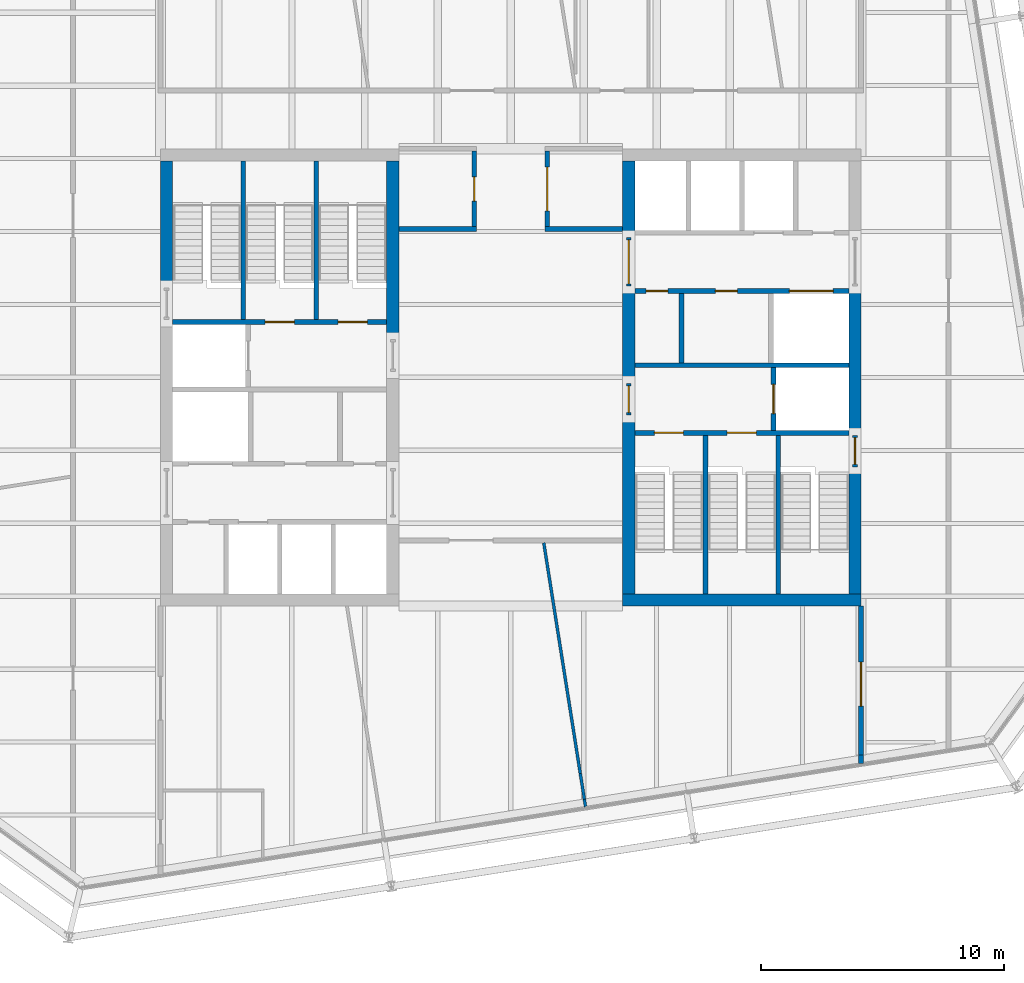
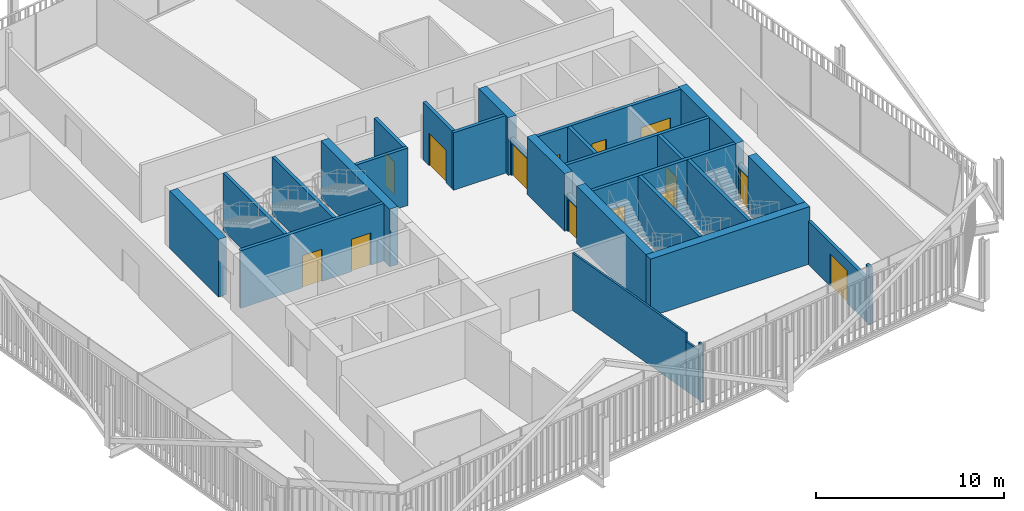
# One storey, part 18 of 21: 30 walls, 14 doors, 14 openings.
"""IFC4 building model written with IfcOpenShell, lengths in metres."""

from ifc_helpers import new_model, si_unit, direction, frame, frame_2d, origin, place, context, subcontext, project, spatial, rectangle, extrude, material, layer, layer_set, type_object, element, fill, save


model = new_model("IFC4")

# Units and contexts
model_context = context("Model", 3, precision=1e-05, world=origin(), true_north=direction((0.0, 1.0)))
body_context = subcontext(model_context, "Body", "Model", "MODEL_VIEW")
ifc_project = project(units=[si_unit("LENGTHUNIT", "METRE"), si_unit("AREAUNIT", "SQUARE_METRE"), si_unit("VOLUMEUNIT", "CUBIC_METRE"), si_unit("PLANEANGLEUNIT", "RADIAN"), si_unit("MASSUNIT", "GRAM", prefix="KILO")], contexts=[model_context])

# Site, building, storey
site_placement = place(None, origin())
site = spatial("IfcSite", under=ifc_project, at=site_placement, CompositionType="ELEMENT")
building_placement = place(site_placement, origin())
building = spatial("IfcBuilding", under=site, at=building_placement, Name="Millrace Tower", CompositionType="ELEMENT")
storey_placement = place(building_placement, frame((0.0, 0.0, 247.39990234375)))
storey = spatial("IfcBuildingStorey", under=building, at=storey_placement, Name="L56", CompositionType="ELEMENT", Elevation=247.39990234375)

# Walls
ifc_material_1 = material(Name="Concrete C60", Category="concrete")
ifc_layer_1 = layer(ifc_material_1, 0.5)
ifc_layer_set_1 = layer_set([ifc_layer_1], Name="Concrete C60")
wall_type_1 = type_object("IfcWallType", Name="Core wall 500 Concrete C60", PredefinedType="SHEAR", material=ifc_layer_set_1)
wall_1_placement = place(storey_placement, frame((-14.14990234375, 3.679931640625, 0.0), z_axis=(0.0, 0.0, 1.0), x_axis=(0.0, 1.0, 0.0)))
element("IfcWall", 1, at=wall_1_placement, inside=storey, type_object=wall_type_1, Name="Core wall W L56", PredefinedType="SHEAR", context=body_context, shape_type="SweptSolid", body=[
    extrude(rectangle(XDim=5.219970703125, YDim=0.5, at=frame_2d((2.60986328125, 0.0))), origin(), (0.0, 0.0, 1.0), 3.739990234375),
])
wall_2_placement = place(storey_placement, frame((-4.85009765625, 1.550048828125, 0.0), z_axis=(0.0, 0.0, 1.0), x_axis=(0.0, 1.0, 0.0)))
element("IfcWall", 2, at=wall_2_placement, inside=storey, type_object=wall_type_1, Name="Core wall W L56", PredefinedType="SHEAR", context=body_context, shape_type="SweptSolid", body=[
    extrude(rectangle(XDim=7.349853515625, YDim=0.5, at=frame_2d((3.6748046875, 0.0))), origin(), (0.0, 0.0, 1.0), 3.739990234375),
])
wall_3_placement = place(storey_placement, frame((14.39990234375, -9.14990234375, 0.0), z_axis=(0.0, 0.0, 1.0), x_axis=(-1.0, 0.0, 0.0)))
element("IfcWall", 3, at=wall_3_placement, inside=storey, type_object=wall_type_1, Name="Core wall E L56", PredefinedType="SHEAR", context=body_context, shape_type="SweptSolid", body=[
    extrude(rectangle(XDim=9.7998046875, YDim=0.5, at=frame_2d((4.89990234375, 0.0))), origin(), (0.0, 0.0, 1.0), 3.739990234375),
])
wall_4_placement = place(storey_placement, frame((14.14990234375, 3.75, 0.0), z_axis=(0.0, 0.0, 1.0), x_axis=(0.0, -1.0, 0.0)))
element("IfcWall", 4, at=wall_4_placement, inside=storey, type_object=wall_type_1, Name="Core wall E L56", PredefinedType="SHEAR", context=body_context, shape_type="SweptSolid", body=[
    extrude(rectangle(XDim=6.1298828125, YDim=0.5, at=frame_2d((3.06494140625, 0.0))), origin(), (0.0, 0.0, 1.0), 3.739990234375),
])
wall_5_placement = place(storey_placement, frame((14.14990234375, -3.679931640625, 0.0), z_axis=(0.0, 0.0, 1.0), x_axis=(0.0, -1.0, 0.0)))
element("IfcWall", 5, at=wall_5_placement, inside=storey, type_object=wall_type_1, Name="Core wall E L56", PredefinedType="SHEAR", context=body_context, shape_type="SweptSolid", body=[
    extrude(rectangle(XDim=5.219970703125, YDim=0.5, at=frame_2d((2.60986328125, 0.0))), origin(), (0.0, 0.0, 1.0), 3.739990234375),
])
wall_6_placement = place(storey_placement, frame((4.85009765625, 8.89990234375, 0.0), z_axis=(0.0, 0.0, 1.0), x_axis=(0.0, -1.0, 0.0)))
element("IfcWall", 6, at=wall_6_placement, inside=storey, type_object=wall_type_1, Name="Core wall E L56", PredefinedType="SHEAR", context=body_context, shape_type="SweptSolid", body=[
    extrude(rectangle(XDim=3.14990234375, YDim=0.5, at=frame_2d((1.574951171875, 0.0))), origin(), (0.0, 0.0, 1.0), 3.739990234375),
])
wall_7_placement = place(storey_placement, frame((4.85009765625, 3.75, 0.0), z_axis=(0.0, 0.0, 1.0), x_axis=(0.0, -1.0, 0.0)))
element("IfcWall", 7, at=wall_7_placement, inside=storey, type_object=wall_type_1, Name="Core wall E L56", PredefinedType="SHEAR", context=body_context, shape_type="SweptSolid", body=[
    extrude(rectangle(XDim=4.0, YDim=0.5, at=frame_2d((2.0, 0.0))), origin(), (0.0, 0.0, 1.0), 3.739990234375),
])
wall_8_placement = place(storey_placement, frame((4.85009765625, -1.550048828125, 0.0), z_axis=(0.0, 0.0, 1.0), x_axis=(0.0, -1.0, 0.0)))
element("IfcWall", 8, at=wall_8_placement, inside=storey, type_object=wall_type_1, Name="Core wall E L56", PredefinedType="SHEAR", context=body_context, shape_type="SweptSolid", body=[
    extrude(rectangle(XDim=7.349853515625, YDim=0.5, at=frame_2d((3.6748046875, 0.0))), origin(), (0.0, 0.0, 1.0), 3.739990234375),
])
ifc_material_2 = material(Name="Masonry partition, fire-rated", Category="masonry")
ifc_layer_2 = layer(ifc_material_2, 0.199951171875)
ifc_layer_set_2 = layer_set([ifc_layer_2], Name="Masonry partition, fire-rated")
wall_type_2 = type_object("IfcWallType", Name="Corridor wall 200", PredefinedType="PARTITIONING", material=ifc_layer_set_2)
for number, where, z_axis, x_axis, name in (
    (9, (-4.60009765625, 6.10009765625, 0.0), (0.0, 0.0, 1.0), (1.0, 0.0, 0.0), "Corridor wall L56"),
    (10, (1.39990234375, 6.10009765625, 0.0), (0.0, 0.0, 1.0), (1.0, 0.0, 0.0), "Corridor wall L56"),
):
    element("IfcWall", number, at=place(storey_placement, frame(where, z_axis=z_axis, x_axis=x_axis)), inside=storey, type_object=wall_type_2, Name=name, PredefinedType="PARTITIONING", context=body_context, shape_type="SweptSolid", body=[
        extrude(rectangle(XDim=3.2001953125, YDim=0.199951171875, at=frame_2d((1.60009765625, 0.0))), origin(), (0.0, 0.0, 1.0), 3.739990234375),
    ])
wall_9_placement = place(storey_placement, frame((14.39990234375, -15.87451171875, 0.0), z_axis=(0.0, 0.0, 1.0), x_axis=(0.0, 1.0, 0.0)))
element("IfcWall", 11, at=wall_9_placement, inside=storey, type_object=wall_type_2, Name="Corridor wall L56", PredefinedType="PARTITIONING", context=body_context, shape_type="SweptSolid", body=[
    extrude(rectangle(XDim=0.349609375, YDim=0.199951171875, at=frame_2d((0.1748046875, 0.0))), origin(), (0.0, 0.0, 1.0), 3.739990234375),
])

# Wall, opening, door
wall_10_placement = place(storey_placement, frame((14.39990234375, -15.52490234375, 0.0), z_axis=(0.0, 0.0, 1.0), x_axis=(0.0, 1.0, 0.0)))
wall_10 = element("IfcWall", 12, at=wall_10_placement, inside=storey, type_object=wall_type_2, Name="Corridor wall L56", PredefinedType="PARTITIONING", context=body_context, shape_type="SweptSolid", body=[
    extrude(rectangle(XDim=6.125, YDim=0.199951171875, at=frame_2d((3.0625, 0.0))), origin(), (0.0, 0.0, 1.0), 2.81298828125),
])
opening_1_placement = place(wall_10_placement, frame((2.012939453125, 0.0, 0.0)))
opening_1 = element("IfcOpeningElement", 13, at=opening_1_placement, cuts=wall_10, Name="Opening 56-P014", PredefinedType="OPENING", context=body_context, shape_type="SweptSolid", body=[
    extrude(rectangle(XDim=1.800048828125, YDim=2.10009765625, at=frame_2d((0.89990234375, 1.050048828125))), frame((0.0, 0.10986328125, 0.0), z_axis=(0.0, -1.0, 0.0), x_axis=(1.0, 0.0, 0.0)), (0.0, 0.0, 1.0), 0.219970703125),
])
ifc_material_3 = material(Name="Steel door set, fire-rated", Category="steel")
door_type_1 = type_object("IfcDoorType", Name="Corridor door 1800 x 2100", OperationType="DOUBLE_DOOR_SINGLE_SWING", PredefinedType="DOOR", material=ifc_material_3)
door_1_placement = place(opening_1_placement, origin())
door_1 = element("IfcDoor", 14, at=door_1_placement, inside=storey, type_object=door_type_1, Name="Door 56-P014", OperationType="DOUBLE_DOOR_SINGLE_SWING", OverallHeight=2.10009765625, OverallWidth=1.800048828125, PredefinedType="DOOR", context=body_context, shape_type="SweptSolid", body=[
    extrude(rectangle(XDim=1.800048828125, YDim=2.10009765625, at=frame_2d((0.89990234375, 1.050048828125))), frame((0.0, 0.02490234375, 0.0), z_axis=(0.0, -1.0, 0.0), x_axis=(1.0, 0.0, 0.0)), (0.0, 0.0, 1.0), 0.050048828125),
])
fill(opening_1, door_1)

wall_11_placement = place(storey_placement, frame((1.5, 6.199951171875, 0.0), z_axis=(0.0, 0.0, 1.0), x_axis=(0.0, 1.0, 0.0)))
wall_11 = element("IfcWall", 15, at=wall_11_placement, inside=storey, type_object=wall_type_2, Name="Corridor wall L56", PredefinedType="PARTITIONING", context=body_context, shape_type="SweptSolid", body=[
    extrude(rectangle(XDim=3.10009765625, YDim=0.199951171875, at=frame_2d((1.550048828125, 0.0))), origin(), (0.0, 0.0, 1.0), 3.739990234375),
])
opening_2_placement = place(wall_11_placement, frame((0.64990234375, 0.0, 0.0)))
opening_2 = element("IfcOpeningElement", 16, at=opening_2_placement, cuts=wall_11, Name="Opening 56-P002", PredefinedType="OPENING", context=body_context, shape_type="SweptSolid", body=[
    extrude(rectangle(XDim=1.800048828125, YDim=2.10009765625, at=frame_2d((0.89990234375, 1.050048828125))), frame((0.0, 0.10986328125, 0.0), z_axis=(0.0, -1.0, 0.0), x_axis=(1.0, 0.0, 0.0)), (0.0, 0.0, 1.0), 0.219970703125),
])
ifc_material_4 = material(Name="Steel door set, fire-rated", Category="steel")
door_type_2 = type_object("IfcDoorType", Name="Data hall door 1800 x 2100", OperationType="DOUBLE_DOOR_SINGLE_SWING", PredefinedType="DOOR", material=ifc_material_4)
door_2_placement = place(opening_2_placement, frame((1.800048828125, 0.0, 0.0), z_axis=(0.0, 0.0, 1.0), x_axis=(-1.0, 0.0, 0.0)))
door_2 = element("IfcDoor", 17, at=door_2_placement, inside=storey, type_object=door_type_2, Name="Door 56-P002", OperationType="DOUBLE_DOOR_SINGLE_SWING", OverallHeight=2.10009765625, OverallWidth=1.800048828125, PredefinedType="DOOR", context=body_context, shape_type="SweptSolid", body=[
    extrude(rectangle(XDim=1.800048828125, YDim=2.10009765625, at=frame_2d((0.89990234375, 1.050048828125))), frame((0.0, 0.02490234375, 0.0), z_axis=(0.0, -1.0, 0.0), x_axis=(1.0, 0.0, 0.0)), (0.0, 0.0, 1.0), 0.050048828125),
])
fill(opening_2, door_2)

wall_12_placement = place(storey_placement, frame((-1.5, 6.199951171875, 0.0), z_axis=(0.0, 0.0, 1.0), x_axis=(0.0, 1.0, 0.0)))
wall_12 = element("IfcWall", 18, at=wall_12_placement, inside=storey, type_object=wall_type_2, Name="Corridor wall L56", PredefinedType="PARTITIONING", context=body_context, shape_type="SweptSolid", body=[
    extrude(rectangle(XDim=3.10009765625, YDim=0.199951171875, at=frame_2d((1.550048828125, 0.0))), origin(), (0.0, 0.0, 1.0), 3.739990234375),
])
opening_3_placement = place(wall_12_placement, frame((1.050048828125, 0.0, 0.0)))
opening_3 = element("IfcOpeningElement", 19, at=opening_3_placement, cuts=wall_12, Name="Opening 56-P001", PredefinedType="OPENING", context=body_context, shape_type="SweptSolid", body=[
    extrude(rectangle(XDim=1.0, YDim=2.10009765625, at=frame_2d((0.5, 1.050048828125))), frame((0.0, 0.10986328125, 0.0), z_axis=(0.0, -1.0, 0.0), x_axis=(1.0, 0.0, 0.0)), (0.0, 0.0, 1.0), 0.219970703125),
])
ifc_material_5 = material(Name="Steel door set, fire-rated", Category="steel")
door_type_3 = type_object("IfcDoorType", Name="Corridor door 1000 x 2100", OperationType="SINGLE_SWING_LEFT", PredefinedType="DOOR", material=ifc_material_5)
door_3_placement = place(opening_3_placement, origin())
door_3 = element("IfcDoor", 20, at=door_3_placement, inside=storey, type_object=door_type_3, Name="Door 56-P001", OperationType="SINGLE_SWING_LEFT", OverallHeight=2.10009765625, OverallWidth=1.0, PredefinedType="DOOR", context=body_context, shape_type="SweptSolid", body=[
    extrude(rectangle(XDim=1.0, YDim=2.10009765625, at=frame_2d((0.5, 1.050048828125))), frame((0.0, 0.02490234375, 0.0), z_axis=(0.0, -1.0, 0.0), x_axis=(1.0, 0.0, 0.0)), (0.0, 0.0, 1.0), 0.050048828125),
])
fill(opening_3, door_3)

# Wall, openings, doors
ifc_material_6 = material(Name="Masonry partition, fire-rated", Category="masonry")
ifc_layer_3 = layer(ifc_material_6, 0.199951171875)
ifc_layer_set_3 = layer_set([ifc_layer_3], Name="Masonry partition, fire-rated")
wall_type_3 = type_object("IfcWallType", Name="Lift shaft wall 200", PredefinedType="PARTITIONING", material=ifc_layer_set_3)
wall_13_placement = place(storey_placement, frame((13.89990234375, 3.550048828125, 0.0), z_axis=(0.0, 0.0, 1.0), x_axis=(-1.0, 0.0, 0.0)))
wall_13 = element("IfcWall", 21, at=wall_13_placement, inside=storey, type_object=wall_type_3, Name="Lift shaft wall E L56", PredefinedType="PARTITIONING", context=body_context, shape_type="SweptSolid", body=[
    extrude(rectangle(XDim=8.7998046875, YDim=0.199951171875, at=frame_2d((4.39990234375, 0.0))), origin(), (0.0, 0.0, 1.0), 3.739990234375),
])
opening_4_placement = place(wall_13_placement, frame((0.64990234375, 0.0, 0.0)))
opening_4 = element("IfcOpeningElement", 22, at=opening_4_placement, cuts=wall_13, Name="Opening 56-LD13", PredefinedType="OPENING", context=body_context, shape_type="SweptSolid", body=[
    extrude(rectangle(XDim=1.800048828125, YDim=2.10009765625, at=frame_2d((0.89990234375, 1.050048828125))), frame((0.0, 0.10986328125, 0.0), z_axis=(0.0, -1.0, 0.0), x_axis=(1.0, 0.0, 0.0)), (0.0, 0.0, 1.0), 0.219970703125),
])
opening_5_placement = place(wall_13_placement, frame((4.58740234375, 0.0, 0.0)))
opening_5 = element("IfcOpeningElement", 23, at=opening_5_placement, cuts=wall_13, Name="Opening 56-C015", PredefinedType="OPENING", context=body_context, shape_type="SweptSolid", body=[
    extrude(rectangle(XDim=0.89990234375, YDim=2.10009765625, at=frame_2d((0.449951171875, 1.050048828125))), frame((0.0, 0.10986328125, 0.0), z_axis=(0.0, -1.0, 0.0), x_axis=(1.0, 0.0, 0.0)), (0.0, 0.0, 1.0), 0.219970703125),
])
opening_6_placement = place(wall_13_placement, frame((7.4375, 0.0, 0.0)))
opening_6 = element("IfcOpeningElement", 24, at=opening_6_placement, cuts=wall_13, Name="Opening 56-C016", PredefinedType="OPENING", context=body_context, shape_type="SweptSolid", body=[
    extrude(rectangle(XDim=0.89990234375, YDim=2.10009765625, at=frame_2d((0.449951171875, 1.050048828125))), frame((0.0, 0.10986328125, 0.0), z_axis=(0.0, -1.0, 0.0), x_axis=(1.0, 0.0, 0.0)), (0.0, 0.0, 1.0), 0.219970703125),
])
ifc_material_7 = material(Name="Stainless steel, fire-rated", Category="steel")
door_type_4 = type_object("IfcDoorType", Name="Lift landing door 1800 x 2100", OperationType="DOUBLE_DOOR_SLIDING", PredefinedType="DOOR", material=ifc_material_7)
door_4_placement = place(opening_4_placement, origin())
door_4 = element("IfcDoor", 25, at=door_4_placement, inside=storey, type_object=door_type_4, Name="Lift landing door LF13 L56", OperationType="DOUBLE_DOOR_SLIDING", OverallHeight=2.10009765625, OverallWidth=1.800048828125, PredefinedType="DOOR", context=body_context, shape_type="SweptSolid", body=[
    extrude(rectangle(XDim=1.800048828125, YDim=2.10009765625, at=frame_2d((0.89990234375, 1.050048828125))), frame((0.0, 0.02490234375, 0.0), z_axis=(0.0, -1.0, 0.0), x_axis=(1.0, 0.0, 0.0)), (0.0, 0.0, 1.0), 0.050048828125),
])
fill(opening_4, door_4)
ifc_material_8 = material(Name="Steel door, fire-rated", Category="steel")
door_type_5 = type_object("IfcDoorType", Name="Service room door 900 x 2100", OperationType="SINGLE_SWING_LEFT", PredefinedType="DOOR", material=ifc_material_8)
door_5_placement = place(opening_5_placement, origin())
door_5 = element("IfcDoor", 26, at=door_5_placement, inside=storey, type_object=door_type_5, Name="Service room door 56-C015", OperationType="SINGLE_SWING_RIGHT", OverallHeight=2.10009765625, OverallWidth=0.89990234375, PredefinedType="DOOR", context=body_context, shape_type="SweptSolid", body=[
    extrude(rectangle(XDim=0.89990234375, YDim=2.10009765625, at=frame_2d((0.449951171875, 1.050048828125))), frame((0.0, 0.02490234375, 0.0), z_axis=(0.0, -1.0, 0.0), x_axis=(1.0, 0.0, 0.0)), (0.0, 0.0, 1.0), 0.050048828125),
])
fill(opening_5, door_5)
door_6_placement = place(opening_6_placement, origin())
door_6 = element("IfcDoor", 27, at=door_6_placement, inside=storey, type_object=door_type_5, Name="Service room door 56-C016", OperationType="SINGLE_SWING_RIGHT", OverallHeight=2.10009765625, OverallWidth=0.89990234375, PredefinedType="DOOR", context=body_context, shape_type="SweptSolid", body=[
    extrude(rectangle(XDim=0.89990234375, YDim=2.10009765625, at=frame_2d((0.449951171875, 1.050048828125))), frame((0.0, 0.02490234375, 0.0), z_axis=(0.0, -1.0, 0.0), x_axis=(1.0, 0.0, 0.0)), (0.0, 0.0, 1.0), 0.050048828125),
])
fill(opening_6, door_6)

# Wall
wall_14_placement = place(storey_placement, frame((13.89990234375, 0.5, 0.0), z_axis=(0.0, 0.0, 1.0), x_axis=(-1.0, 0.0, 0.0)))
element("IfcWall", 28, at=wall_14_placement, inside=storey, type_object=wall_type_3, Name="Lift shaft wall E L56", PredefinedType="PARTITIONING", context=body_context, shape_type="SweptSolid", body=[
    extrude(rectangle(XDim=8.7998046875, YDim=0.199951171875, at=frame_2d((4.39990234375, 0.0))), origin(), (0.0, 0.0, 1.0), 3.739990234375),
])

# Wall, opening, door
wall_15_placement = place(storey_placement, frame((10.800048828125, 0.39990234375, 0.0), z_axis=(0.0, 0.0, 1.0), x_axis=(0.0, -1.0, 0.0)))
wall_15 = element("IfcWall", 29, at=wall_15_placement, inside=storey, type_object=wall_type_3, Name="Lift shaft wall E L56", PredefinedType="PARTITIONING", context=body_context, shape_type="SweptSolid", body=[
    extrude(rectangle(XDim=2.579833984375, YDim=0.199951171875, at=frame_2d((1.2900390625, 0.0))), origin(), (0.0, 0.0, 1.0), 3.739990234375),
])
opening_7_placement = place(wall_15_placement, frame((0.68994140625, 0.0, 0.0)))
opening_7 = element("IfcOpeningElement", 30, at=opening_7_placement, cuts=wall_15, Name="Opening 56-LD16", PredefinedType="OPENING", context=body_context, shape_type="SweptSolid", body=[
    extrude(rectangle(XDim=1.199951171875, YDim=2.10009765625, at=frame_2d((0.60009765625, 1.050048828125))), frame((0.0, 0.10986328125, 0.0), z_axis=(0.0, -1.0, 0.0), x_axis=(1.0, 0.0, 0.0)), (0.0, 0.0, 1.0), 0.219970703125),
])
ifc_material_9 = material(Name="Stainless steel, fire-rated", Category="steel")
door_type_6 = type_object("IfcDoorType", Name="Lift landing door 1200 x 2100", OperationType="DOUBLE_DOOR_SLIDING", PredefinedType="DOOR", material=ifc_material_9)
door_7_placement = place(opening_7_placement, origin())
door_7 = element("IfcDoor", 31, at=door_7_placement, inside=storey, type_object=door_type_6, Name="Lift landing door LF16 L56", OperationType="DOUBLE_DOOR_SLIDING", OverallHeight=2.10009765625, OverallWidth=1.199951171875, PredefinedType="DOOR", context=body_context, shape_type="SweptSolid", body=[
    extrude(rectangle(XDim=1.199951171875, YDim=2.10009765625, at=frame_2d((0.60009765625, 1.050048828125))), frame((0.0, 0.02490234375, 0.0), z_axis=(0.0, -1.0, 0.0), x_axis=(1.0, 0.0, 0.0)), (0.0, 0.0, 1.0), 0.050048828125),
])
fill(opening_7, door_7)

ifc_material_10 = material(Name="Masonry partition, fire-rated", Category="masonry")
ifc_layer_4 = layer(ifc_material_10, 0.199951171875)
ifc_layer_set_4 = layer_set([ifc_layer_4], Name="Masonry partition, fire-rated")
wall_type_4 = type_object("IfcWallType", Name="Lobby wall 200", PredefinedType="PARTITIONING", material=ifc_layer_set_4)
wall_16_placement = place(storey_placement, frame((4.85009765625, 5.75, 0.0), z_axis=(0.0, 0.0, 1.0), x_axis=(0.0, -1.0, 0.0)))
wall_16 = element("IfcWall", 32, at=wall_16_placement, inside=storey, type_object=wall_type_4, Name="Lobby wall E L56", PredefinedType="PARTITIONING", context=body_context, shape_type="SweptSolid", body=[
    extrude(rectangle(XDim=2.0, YDim=0.199951171875, at=frame_2d((1.0, 0.0))), origin(), (0.0, 0.0, 1.0), 2.400146484375),
])
opening_8_placement = place(wall_16_placement, frame((0.10009765625, 0.0, 0.0)))
opening_8 = element("IfcOpeningElement", 33, at=opening_8_placement, cuts=wall_16, Name="Opening 56-C012", PredefinedType="OPENING", context=body_context, shape_type="SweptSolid", body=[
    extrude(rectangle(XDim=1.800048828125, YDim=2.10009765625, at=frame_2d((0.89990234375, 1.050048828125))), frame((0.0, 0.10986328125, 0.0), z_axis=(0.0, -1.0, 0.0), x_axis=(1.0, 0.0, 0.0)), (0.0, 0.0, 1.0), 0.219970703125),
])
ifc_material_11 = material(Name="Steel door, fire-rated", Category="steel")
door_type_7 = type_object("IfcDoorType", Name="Lobby door 1800 x 2100", OperationType="DOUBLE_DOOR_SINGLE_SWING", PredefinedType="DOOR", material=ifc_material_11)
door_8_placement = place(opening_8_placement, frame((1.800048828125, 0.0, 0.0), z_axis=(0.0, 0.0, 1.0), x_axis=(-1.0, 0.0, 0.0)))
door_8 = element("IfcDoor", 34, at=door_8_placement, inside=storey, type_object=door_type_7, Name="Lobby door 56-C012", OperationType="DOUBLE_DOOR_SINGLE_SWING", OverallHeight=2.10009765625, OverallWidth=1.800048828125, PredefinedType="DOOR", context=body_context, shape_type="SweptSolid", body=[
    extrude(rectangle(XDim=1.800048828125, YDim=2.10009765625, at=frame_2d((0.89990234375, 1.050048828125))), frame((0.0, 0.02490234375, 0.0), z_axis=(0.0, -1.0, 0.0), x_axis=(1.0, 0.0, 0.0)), (0.0, 0.0, 1.0), 0.050048828125),
])
fill(opening_8, door_8)

wall_17_placement = place(storey_placement, frame((4.85009765625, -0.25, 0.0), z_axis=(0.0, 0.0, 1.0), x_axis=(0.0, -1.0, 0.0)))
wall_17 = element("IfcWall", 35, at=wall_17_placement, inside=storey, type_object=wall_type_4, Name="Lobby wall E L56", PredefinedType="PARTITIONING", context=body_context, shape_type="SweptSolid", body=[
    extrude(rectangle(XDim=1.300048828125, YDim=0.199951171875, at=frame_2d((0.64990234375, 0.0))), origin(), (0.0, 0.0, 1.0), 2.400146484375),
])
opening_9_placement = place(wall_17_placement, frame((0.10009765625, 0.0, 0.0)))
opening_9 = element("IfcOpeningElement", 36, at=opening_9_placement, cuts=wall_17, Name="Opening 56-C013", PredefinedType="OPENING", context=body_context, shape_type="SweptSolid", body=[
    extrude(rectangle(XDim=1.10009765625, YDim=2.10009765625, at=frame_2d((0.550048828125, 1.050048828125))), frame((0.0, 0.10986328125, 0.0), z_axis=(0.0, -1.0, 0.0), x_axis=(1.0, 0.0, 0.0)), (0.0, 0.0, 1.0), 0.219970703125),
])
ifc_material_12 = material(Name="Steel door, fire-rated", Category="steel")
door_type_8 = type_object("IfcDoorType", Name="Lobby door 1100 x 2100", OperationType="SINGLE_SWING_LEFT", PredefinedType="DOOR", material=ifc_material_12)
door_9_placement = place(opening_9_placement, frame((1.10009765625, 0.0, 0.0), z_axis=(0.0, 0.0, 1.0), x_axis=(-1.0, 0.0, 0.0)))
door_9 = element("IfcDoor", 37, at=door_9_placement, inside=storey, type_object=door_type_8, Name="Lobby door 56-C013", OperationType="SINGLE_SWING_RIGHT", OverallHeight=2.10009765625, OverallWidth=1.10009765625, PredefinedType="DOOR", context=body_context, shape_type="SweptSolid", body=[
    extrude(rectangle(XDim=1.10009765625, YDim=2.10009765625, at=frame_2d((0.550048828125, 1.050048828125))), frame((0.0, 0.02490234375, 0.0), z_axis=(0.0, -1.0, 0.0), x_axis=(1.0, 0.0, 0.0)), (0.0, 0.0, 1.0), 0.050048828125),
])
fill(opening_9, door_9)

# Walls
ifc_material_13 = material(Name="Gypsum board partition")
ifc_layer_5 = layer(ifc_material_13, 0.1201171875)
ifc_layer_set_5 = layer_set([ifc_layer_5], Name="Gypsum board partition")
wall_type_5 = type_object("IfcWallType", Name="Partition wall 120", PredefinedType="PARTITIONING", material=ifc_layer_set_5)
wall_18_placement = place(storey_placement, frame((1.355712890625, -6.798828125, 0.0), z_axis=(0.0, 0.0, 1.0), x_axis=(0.15639059341, -0.98769528818, 0.0)))
element("IfcWall", 38, at=wall_18_placement, inside=storey, type_object=wall_type_5, Name="Partition wall L56", PredefinedType="PARTITIONING", context=body_context, shape_type="SweptSolid", body=[
    extrude(rectangle(XDim=9.60693359375, YDim=0.1201171875, at=frame_2d((4.803466796875, 0.0))), origin(), (0.0, 0.0, 1.0), 3.739990234375),
])
wall_19_placement = place(storey_placement, frame((2.858154296875, -16.28759765625, 0.0), z_axis=(0.0, 0.0, 1.0), x_axis=(0.156535041478, -0.987672405603, 0.0)))
element("IfcWall", 39, at=wall_19_placement, inside=storey, type_object=wall_type_5, Name="Partition wall L56", PredefinedType="PARTITIONING", context=body_context, shape_type="SweptSolid", body=[
    extrude(rectangle(XDim=1.072998046875, YDim=0.1201171875, at=frame_2d((0.53662109375, 0.0))), origin(), (0.0, 0.0, 1.0), 3.21435546875),
])
wall_20_placement = place(storey_placement, frame((3.026123046875, -17.347412109375, 0.0), z_axis=(0.0, 0.0, 1.0), x_axis=(0.155730772494, -0.987799537608, 0.0)))
element("IfcWall", 40, at=wall_20_placement, inside=storey, type_object=wall_type_5, Name="Partition wall L56", PredefinedType="PARTITIONING", context=body_context, shape_type="SweptSolid", body=[
    extrude(rectangle(XDim=0.324462890625, YDim=0.1201171875, at=frame_2d((0.162109375, 0.0))), origin(), (0.0, 0.0, 1.0), 3.739990234375),
])
ifc_material_14 = material(Name="Masonry partition, fire-rated", Category="masonry")
ifc_layer_6 = layer(ifc_material_14, 0.199951171875)
ifc_layer_set_6 = layer_set([ifc_layer_6], Name="Masonry partition, fire-rated")
wall_type_6 = type_object("IfcWallType", Name="Room partition 200", PredefinedType="PARTITIONING", material=ifc_layer_set_6)
wall_21_placement = place(storey_placement, frame((7.02490234375, 3.449951171875, 0.0), z_axis=(0.0, 0.0, 1.0), x_axis=(0.0, -1.0, 0.0)))
element("IfcWall", 41, at=wall_21_placement, inside=storey, type_object=wall_type_6, Name="Room partition E L56", PredefinedType="PARTITIONING", context=body_context, shape_type="SweptSolid", body=[
    extrude(rectangle(XDim=2.849853515625, YDim=0.199951171875, at=frame_2d((1.4248046875, 0.0))), origin(), (0.0, 0.0, 1.0), 3.739990234375),
])

# Wall, openings, doors
ifc_material_15 = material(Name="Concrete C40", Category="concrete")
ifc_layer_7 = layer(ifc_material_15, 0.199951171875)
ifc_layer_set_7 = layer_set([ifc_layer_7], Name="Concrete C40")
wall_type_7 = type_object("IfcWallType", Name="Stair enclosure wall 200 Concrete C40", PredefinedType="SHEAR", material=ifc_layer_set_7)
wall_22_placement = place(storey_placement, frame((-13.89990234375, 2.280029296875, 0.0), z_axis=(0.0, 0.0, 1.0), x_axis=(1.0, 0.0, 0.0)))
wall_22 = element("IfcWall", 42, at=wall_22_placement, inside=storey, type_object=wall_type_7, Name="Stair enclosure wall W L56", PredefinedType="SHEAR", context=body_context, shape_type="SweptSolid", body=[
    extrude(rectangle(XDim=8.7998046875, YDim=0.199951171875, at=frame_2d((4.39990234375, 0.0))), origin(), (0.0, 0.0, 1.0), 3.739990234375),
])
opening_10_placement = place(wall_22_placement, frame((3.800048828125, 0.0, 0.0)))
opening_10 = element("IfcOpeningElement", 43, at=opening_10_placement, cuts=wall_22, Name="Opening 56-C008", PredefinedType="OPENING", context=body_context, shape_type="SweptSolid", body=[
    extrude(rectangle(XDim=1.199951171875, YDim=2.10009765625, at=frame_2d((0.60009765625, 1.050048828125))), frame((0.0, 0.10986328125, 0.0), z_axis=(0.0, -1.0, 0.0), x_axis=(1.0, 0.0, 0.0)), (0.0, 0.0, 1.0), 0.219970703125),
])
opening_11_placement = place(wall_22_placement, frame((6.800048828125, 0.0, 0.0)))
opening_11 = element("IfcOpeningElement", 44, at=opening_11_placement, cuts=wall_22, Name="Opening 56-C009", PredefinedType="OPENING", context=body_context, shape_type="SweptSolid", body=[
    extrude(rectangle(XDim=1.199951171875, YDim=2.10009765625, at=frame_2d((0.60009765625, 1.050048828125))), frame((0.0, 0.10986328125, 0.0), z_axis=(0.0, -1.0, 0.0), x_axis=(1.0, 0.0, 0.0)), (0.0, 0.0, 1.0), 0.219970703125),
])
ifc_material_16 = material(Name="Steel door, fire-rated", Category="steel")
door_type_9 = type_object("IfcDoorType", Name="Stair door 1200 x 2100", OperationType="SINGLE_SWING_LEFT", PredefinedType="DOOR", material=ifc_material_16)
door_10_placement = place(opening_10_placement, frame((1.199951171875, 0.0, 0.0), z_axis=(0.0, 0.0, 1.0), x_axis=(-1.0, 0.0, 0.0)))
door_10 = element("IfcDoor", 45, at=door_10_placement, inside=storey, type_object=door_type_9, Name="Stair door 56-C008", OperationType="SINGLE_SWING_RIGHT", OverallHeight=2.10009765625, OverallWidth=1.199951171875, PredefinedType="DOOR", context=body_context, shape_type="SweptSolid", body=[
    extrude(rectangle(XDim=1.199951171875, YDim=2.10009765625, at=frame_2d((0.60009765625, 1.050048828125))), frame((0.0, 0.02490234375, 0.0), z_axis=(0.0, -1.0, 0.0), x_axis=(1.0, 0.0, 0.0)), (0.0, 0.0, 1.0), 0.050048828125),
])
fill(opening_10, door_10)
door_11_placement = place(opening_11_placement, frame((1.199951171875, 0.0, 0.0), z_axis=(0.0, 0.0, 1.0), x_axis=(-1.0, 0.0, 0.0)))
door_11 = element("IfcDoor", 46, at=door_11_placement, inside=storey, type_object=door_type_9, Name="Stair door 56-C009", OperationType="SINGLE_SWING_LEFT", OverallHeight=2.10009765625, OverallWidth=1.199951171875, PredefinedType="DOOR", context=body_context, shape_type="SweptSolid", body=[
    extrude(rectangle(XDim=1.199951171875, YDim=2.10009765625, at=frame_2d((0.60009765625, 1.050048828125))), frame((0.0, 0.02490234375, 0.0), z_axis=(0.0, -1.0, 0.0), x_axis=(1.0, 0.0, 0.0)), (0.0, 0.0, 1.0), 0.050048828125),
])
fill(opening_11, door_11)

# Walls
for number, where, z_axis, x_axis, name in (
    (47, (-11.0, 2.3798828125, 0.0), (0.0, 0.0, 1.0), (0.0, 1.0, 0.0), "Stair enclosure wall W L56"),
    (48, (-8.0, 2.3798828125, 0.0), (0.0, 0.0, 1.0), (0.0, 1.0, 0.0), "Stair enclosure wall W L56"),
):
    element("IfcWall", number, at=place(storey_placement, frame(where, z_axis=z_axis, x_axis=x_axis)), inside=storey, type_object=wall_type_7, Name=name, PredefinedType="SHEAR", context=body_context, shape_type="SweptSolid", body=[
        extrude(rectangle(XDim=6.52001953125, YDim=0.199951171875, at=frame_2d((3.260009765625, 0.0))), origin(), (0.0, 0.0, 1.0), 3.739990234375),
    ])

# Wall, opening, door
wall_23_placement = place(storey_placement, frame((14.14990234375, -2.3798828125, 0.0), z_axis=(0.0, 0.0, 1.0), x_axis=(0.0, -1.0, 0.0)))
wall_23 = element("IfcWall", 49, at=wall_23_placement, inside=storey, type_object=wall_type_7, Name="Stair enclosure wall E L56", PredefinedType="SHEAR", context=body_context, shape_type="SweptSolid", body=[
    extrude(rectangle(XDim=1.300048828125, YDim=0.199951171875, at=frame_2d((0.64990234375, 0.0))), origin(), (0.0, 0.0, 1.0), 2.400146484375),
])
opening_12_placement = place(wall_23_placement, frame((0.10009765625, 0.0, 0.0)))
opening_12 = element("IfcOpeningElement", 50, at=opening_12_placement, cuts=wall_23, Name="Opening 56-C011", PredefinedType="OPENING", context=body_context, shape_type="SweptSolid", body=[
    extrude(rectangle(XDim=1.10009765625, YDim=2.10009765625, at=frame_2d((0.550048828125, 1.050048828125))), frame((0.0, 0.10986328125, 0.0), z_axis=(0.0, -1.0, 0.0), x_axis=(1.0, 0.0, 0.0)), (0.0, 0.0, 1.0), 0.219970703125),
])
ifc_material_17 = material(Name="Steel door, fire-rated", Category="steel")
door_type_10 = type_object("IfcDoorType", Name="Stair door 1100 x 2100", OperationType="SINGLE_SWING_LEFT", PredefinedType="DOOR", material=ifc_material_17)
door_12_placement = place(opening_12_placement, origin())
door_12 = element("IfcDoor", 51, at=door_12_placement, inside=storey, type_object=door_type_10, Name="Stair door 56-C011", OperationType="SINGLE_SWING_LEFT", OverallHeight=2.10009765625, OverallWidth=1.10009765625, PredefinedType="DOOR", context=body_context, shape_type="SweptSolid", body=[
    extrude(rectangle(XDim=1.10009765625, YDim=2.10009765625, at=frame_2d((0.550048828125, 1.050048828125))), frame((0.0, 0.02490234375, 0.0), z_axis=(0.0, -1.0, 0.0), x_axis=(1.0, 0.0, 0.0)), (0.0, 0.0, 1.0), 0.050048828125),
])
fill(opening_12, door_12)

# Wall, openings, doors
wall_24_placement = place(storey_placement, frame((13.89990234375, -2.280029296875, 0.0), z_axis=(0.0, 0.0, 1.0), x_axis=(-1.0, 0.0, 0.0)))
wall_24 = element("IfcWall", 52, at=wall_24_placement, inside=storey, type_object=wall_type_7, Name="Stair enclosure wall E L56", PredefinedType="SHEAR", context=body_context, shape_type="SweptSolid", body=[
    extrude(rectangle(XDim=8.7998046875, YDim=0.199951171875, at=frame_2d((4.39990234375, 0.0))), origin(), (0.0, 0.0, 1.0), 3.739990234375),
])
opening_13_placement = place(wall_24_placement, frame((3.800048828125, 0.0, 0.0)))
opening_13 = element("IfcOpeningElement", 53, at=opening_13_placement, cuts=wall_24, Name="Opening 56-C017", PredefinedType="OPENING", context=body_context, shape_type="SweptSolid", body=[
    extrude(rectangle(XDim=1.199951171875, YDim=2.10009765625, at=frame_2d((0.60009765625, 1.050048828125))), frame((0.0, 0.10986328125, 0.0), z_axis=(0.0, -1.0, 0.0), x_axis=(1.0, 0.0, 0.0)), (0.0, 0.0, 1.0), 0.219970703125),
])
opening_14_placement = place(wall_24_placement, frame((6.800048828125, 0.0, 0.0)))
opening_14 = element("IfcOpeningElement", 54, at=opening_14_placement, cuts=wall_24, Name="Opening 56-C018", PredefinedType="OPENING", context=body_context, shape_type="SweptSolid", body=[
    extrude(rectangle(XDim=1.199951171875, YDim=2.10009765625, at=frame_2d((0.60009765625, 1.050048828125))), frame((0.0, 0.10986328125, 0.0), z_axis=(0.0, -1.0, 0.0), x_axis=(1.0, 0.0, 0.0)), (0.0, 0.0, 1.0), 0.219970703125),
])
door_13_placement = place(opening_13_placement, frame((1.199951171875, 0.0, 0.0), z_axis=(0.0, 0.0, 1.0), x_axis=(-1.0, 0.0, 0.0)))
door_13 = element("IfcDoor", 55, at=door_13_placement, inside=storey, type_object=door_type_9, Name="Stair door 56-C017", OperationType="SINGLE_SWING_RIGHT", OverallHeight=2.10009765625, OverallWidth=1.199951171875, PredefinedType="DOOR", context=body_context, shape_type="SweptSolid", body=[
    extrude(rectangle(XDim=1.199951171875, YDim=2.10009765625, at=frame_2d((0.60009765625, 1.050048828125))), frame((0.0, 0.02490234375, 0.0), z_axis=(0.0, -1.0, 0.0), x_axis=(1.0, 0.0, 0.0)), (0.0, 0.0, 1.0), 0.050048828125),
])
fill(opening_13, door_13)
door_14_placement = place(opening_14_placement, frame((1.199951171875, 0.0, 0.0), z_axis=(0.0, 0.0, 1.0), x_axis=(-1.0, 0.0, 0.0)))
door_14 = element("IfcDoor", 56, at=door_14_placement, inside=storey, type_object=door_type_9, Name="Stair door 56-C018", OperationType="SINGLE_SWING_LEFT", OverallHeight=2.10009765625, OverallWidth=1.199951171875, PredefinedType="DOOR", context=body_context, shape_type="SweptSolid", body=[
    extrude(rectangle(XDim=1.199951171875, YDim=2.10009765625, at=frame_2d((0.60009765625, 1.050048828125))), frame((0.0, 0.02490234375, 0.0), z_axis=(0.0, -1.0, 0.0), x_axis=(1.0, 0.0, 0.0)), (0.0, 0.0, 1.0), 0.050048828125),
])
fill(opening_14, door_14)

# Walls
for number, where, z_axis, x_axis, name in (
    (57, (11.0, -2.3798828125, 0.0), (0.0, 0.0, 1.0), (0.0, -1.0, 0.0), "Stair enclosure wall E L56"),
    (58, (8.0, -2.3798828125, 0.0), (0.0, 0.0, 1.0), (0.0, -1.0, 0.0), "Stair enclosure wall E L56"),
):
    element("IfcWall", number, at=place(storey_placement, frame(where, z_axis=z_axis, x_axis=x_axis)), inside=storey, type_object=wall_type_7, Name=name, PredefinedType="SHEAR", context=body_context, shape_type="SweptSolid", body=[
        extrude(rectangle(XDim=6.52001953125, YDim=0.199951171875, at=frame_2d((3.260009765625, 0.0))), origin(), (0.0, 0.0, 1.0), 3.739990234375),
    ])

save(model, "model.ifc")
